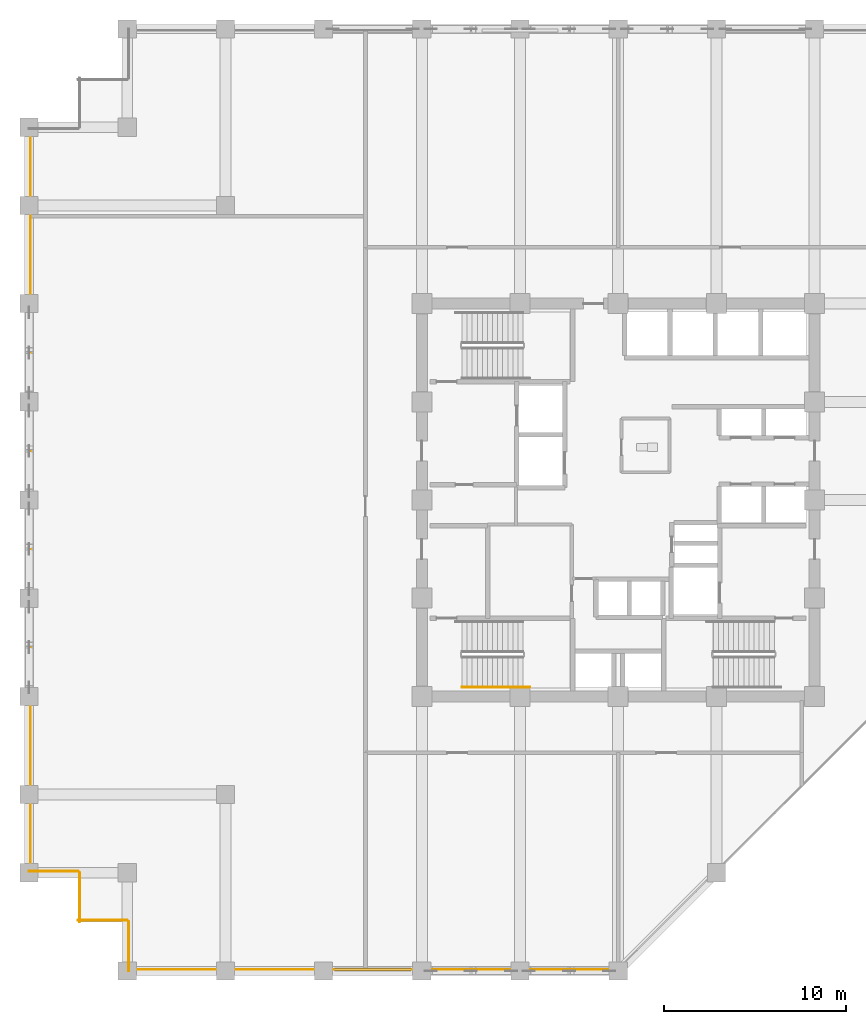
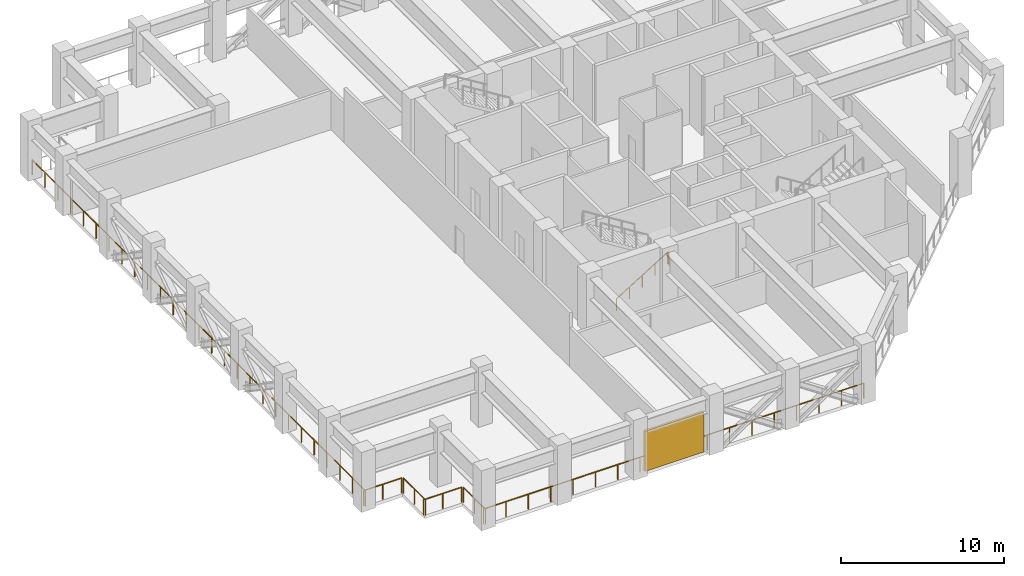
# One storey, part 8 of 12: 7 railings, 1 shading device.
"""IFC4 building model written with IfcOpenShell, lengths in metres."""

from ifc_helpers import new_model, si_unit, direction, frame, origin, origin_2d, place, context, subcontext, project, spatial, rectangle, circle, extrude, material, type_object, element, save


model = new_model("IFC4")

# Units and contexts
model_context = context("Model", 3, precision=1e-05, world=origin(), true_north=direction((0.0, 1.0)))
body_context = subcontext(model_context, "Body", "Model", "MODEL_VIEW")
ifc_project = project(units=[si_unit("LENGTHUNIT", "METRE"), si_unit("AREAUNIT", "SQUARE_METRE"), si_unit("VOLUMEUNIT", "CUBIC_METRE"), si_unit("PLANEANGLEUNIT", "RADIAN"), si_unit("MASSUNIT", "GRAM", prefix="KILO")], contexts=[model_context])

# Site, building, storey
site_placement = place(None, origin())
site = spatial("IfcSite", under=ifc_project, at=site_placement, CompositionType="ELEMENT")
building_placement = place(site_placement, origin())
building = spatial("IfcBuilding", under=site, at=building_placement, Name="Surkhivell Harbour Commons", CompositionType="ELEMENT")
storey_placement = place(building_placement, frame((0.0, 0.0, 166.5)))
storey = spatial("IfcBuildingStorey", under=building, at=storey_placement, Name="L43", CompositionType="ELEMENT", Elevation=166.5)

# Railings
ifc_material_1 = material(Name="Laminated safety glass and stainless steel S355 balustrade", Category="steel")
railing_type_1 = type_object("IfcRailingType", Name="RAL-BAL-1150", PredefinedType="BALUSTRADE", material=ifc_material_1)
railing_1_placement = place(storey_placement, frame((-27.0, -25.820068359375, 0.0)))
element("IfcRailing", 1, at=railing_1_placement, inside=storey, type_object=railing_type_1, Name="L43 Perimeter Safety Guard 01", PredefinedType="BALUSTRADE", context=body_context, shape_type="SweptSolid", body=[
    extrude(circle(Radius=0.02392578125, at=origin_2d()), frame((0.0, 0.0, 1.1259765625), z_axis=(1.0, 0.0, 0.0), x_axis=(0.0, 1.0, 0.0)), (0.0, 0.0, 1.0), 27.0),
    extrude(circle(Radius=0.02099609375, at=origin_2d()), origin(), (0.0, 0.0, 1.0), 1.101806640625),
    extrude(circle(Radius=0.02099609375, at=origin_2d()), frame((1.588134765625, 0.0, 0.0)), (0.0, 0.0, 1.0), 1.101806640625),
    extrude(circle(Radius=0.02099609375, at=origin_2d()), frame((3.176513671875, 0.0, 0.0)), (0.0, 0.0, 1.0), 1.101806640625),
    extrude(circle(Radius=0.02099609375, at=origin_2d()), frame((4.7646484375, 0.0, 0.0)), (0.0, 0.0, 1.0), 1.101806640625),
    extrude(circle(Radius=0.02099609375, at=origin_2d()), frame((6.35302734375, 0.0, 0.0)), (0.0, 0.0, 1.0), 1.101806640625),
    extrude(circle(Radius=0.02099609375, at=origin_2d()), frame((7.941162109375, 0.0, 0.0)), (0.0, 0.0, 1.0), 1.101806640625),
    extrude(circle(Radius=0.02099609375, at=origin_2d()), frame((9.529296875, 0.0, 0.0)), (0.0, 0.0, 1.0), 1.101806640625),
    extrude(circle(Radius=0.02099609375, at=origin_2d()), frame((11.11767578125, 0.0, 0.0)), (0.0, 0.0, 1.0), 1.101806640625),
    extrude(circle(Radius=0.02099609375, at=origin_2d()), frame((12.705810546875, 0.0, 0.0)), (0.0, 0.0, 1.0), 1.101806640625),
    extrude(circle(Radius=0.02099609375, at=origin_2d()), frame((14.294189453125, 0.0, 0.0)), (0.0, 0.0, 1.0), 1.101806640625),
    extrude(circle(Radius=0.02099609375, at=origin_2d()), frame((15.88232421875, 0.0, 0.0)), (0.0, 0.0, 1.0), 1.101806640625),
    extrude(circle(Radius=0.02099609375, at=origin_2d()), frame((17.470703125, 0.0, 0.0)), (0.0, 0.0, 1.0), 1.101806640625),
    extrude(circle(Radius=0.02099609375, at=origin_2d()), frame((19.058837890625, 0.0, 0.0)), (0.0, 0.0, 1.0), 1.101806640625),
    extrude(circle(Radius=0.02099609375, at=origin_2d()), frame((20.64697265625, 0.0, 0.0)), (0.0, 0.0, 1.0), 1.101806640625),
    extrude(circle(Radius=0.02099609375, at=origin_2d()), frame((22.2353515625, 0.0, 0.0)), (0.0, 0.0, 1.0), 1.101806640625),
    extrude(circle(Radius=0.02099609375, at=origin_2d()), frame((23.823486328125, 0.0, 0.0)), (0.0, 0.0, 1.0), 1.101806640625),
    extrude(circle(Radius=0.02099609375, at=origin_2d()), frame((25.411865234375, 0.0, 0.0)), (0.0, 0.0, 1.0), 1.101806640625),
    extrude(circle(Radius=0.02099609375, at=origin_2d()), frame((27.0, 0.0, 0.0)), (0.0, 0.0, 1.0), 1.101806640625),
])
railing_2_placement = place(storey_placement, frame((-32.320068359375, 20.5, 0.0)))
element("IfcRailing", 2, at=railing_2_placement, inside=storey, type_object=railing_type_1, Name="L43 Perimeter Safety Guard 13", PredefinedType="BALUSTRADE", context=body_context, shape_type="SweptSolid", body=[
    extrude(circle(Radius=0.02392578125, at=origin_2d()), frame((0.0, 0.0, 1.1259765625), z_axis=(0.0, -1.0, 0.0), x_axis=(1.0, 0.0, 0.0)), (0.0, 0.0, 1.0), 41.0),
    extrude(circle(Radius=0.02099609375, at=origin_2d()), origin(), (0.0, 0.0, 1.0), 1.101806640625),
    extrude(circle(Radius=0.02099609375, at=origin_2d()), frame((0.0, -1.576904296875, 0.0)), (0.0, 0.0, 1.0), 1.101806640625),
    extrude(circle(Radius=0.02099609375, at=origin_2d()), frame((0.0, -3.15380859375, 0.0)), (0.0, 0.0, 1.0), 1.101806640625),
    extrude(circle(Radius=0.02099609375, at=origin_2d()), frame((0.0, -4.730712890625, 0.0)), (0.0, 0.0, 1.0), 1.101806640625),
    extrude(circle(Radius=0.02099609375, at=origin_2d()), frame((0.0, -6.3076171875, 0.0)), (0.0, 0.0, 1.0), 1.101806640625),
    extrude(circle(Radius=0.02099609375, at=origin_2d()), frame((0.0, -7.884521484375, 0.0)), (0.0, 0.0, 1.0), 1.101806640625),
    extrude(circle(Radius=0.02099609375, at=origin_2d()), frame((0.0, -9.46142578125, 0.0)), (0.0, 0.0, 1.0), 1.101806640625),
    extrude(circle(Radius=0.02099609375, at=origin_2d()), frame((0.0, -11.03857421875, 0.0)), (0.0, 0.0, 1.0), 1.101806640625),
    extrude(circle(Radius=0.02099609375, at=origin_2d()), frame((0.0, -12.615478515625, 0.0)), (0.0, 0.0, 1.0), 1.101806640625),
    extrude(circle(Radius=0.02099609375, at=origin_2d()), frame((0.0, -14.1923828125, 0.0)), (0.0, 0.0, 1.0), 1.101806640625),
    extrude(circle(Radius=0.02099609375, at=origin_2d()), frame((0.0, -15.769287109375, 0.0)), (0.0, 0.0, 1.0), 1.101806640625),
    extrude(circle(Radius=0.02099609375, at=origin_2d()), frame((0.0, -17.34619140625, 0.0)), (0.0, 0.0, 1.0), 1.101806640625),
    extrude(circle(Radius=0.02099609375, at=origin_2d()), frame((0.0, -18.923095703125, 0.0)), (0.0, 0.0, 1.0), 1.101806640625),
    extrude(circle(Radius=0.02099609375, at=origin_2d()), frame((0.0, -20.5, 0.0)), (0.0, 0.0, 1.0), 1.101806640625),
    extrude(circle(Radius=0.02099609375, at=origin_2d()), frame((0.0, -22.076904296875, 0.0)), (0.0, 0.0, 1.0), 1.101806640625),
    extrude(circle(Radius=0.02099609375, at=origin_2d()), frame((0.0, -23.65380859375, 0.0)), (0.0, 0.0, 1.0), 1.101806640625),
    extrude(circle(Radius=0.02099609375, at=origin_2d()), frame((0.0, -25.230712890625, 0.0)), (0.0, 0.0, 1.0), 1.101806640625),
    extrude(circle(Radius=0.02099609375, at=origin_2d()), frame((0.0, -26.8076171875, 0.0)), (0.0, 0.0, 1.0), 1.101806640625),
    extrude(circle(Radius=0.02099609375, at=origin_2d()), frame((0.0, -28.384521484375, 0.0)), (0.0, 0.0, 1.0), 1.101806640625),
    extrude(circle(Radius=0.02099609375, at=origin_2d()), frame((0.0, -29.96142578125, 0.0)), (0.0, 0.0, 1.0), 1.101806640625),
    extrude(circle(Radius=0.02099609375, at=origin_2d()), frame((0.0, -31.53857421875, 0.0)), (0.0, 0.0, 1.0), 1.101806640625),
    extrude(circle(Radius=0.02099609375, at=origin_2d()), frame((0.0, -33.115478515625, 0.0)), (0.0, 0.0, 1.0), 1.101806640625),
    extrude(circle(Radius=0.02099609375, at=origin_2d()), frame((0.0, -34.6923828125, 0.0)), (0.0, 0.0, 1.0), 1.101806640625),
    extrude(circle(Radius=0.02099609375, at=origin_2d()), frame((0.0, -36.269287109375, 0.0)), (0.0, 0.0, 1.0), 1.101806640625),
    extrude(circle(Radius=0.02099609375, at=origin_2d()), frame((0.0, -37.84619140625, 0.0)), (0.0, 0.0, 1.0), 1.101806640625),
    extrude(circle(Radius=0.02099609375, at=origin_2d()), frame((0.0, -39.423095703125, 0.0)), (0.0, 0.0, 1.0), 1.101806640625),
    extrude(circle(Radius=0.02099609375, at=origin_2d()), frame((0.0, -41.0, 0.0)), (0.0, 0.0, 1.0), 1.101806640625),
])
railing_3_placement = place(storey_placement, frame((-32.39990234375, -20.419921875, 0.0)))
element("IfcRailing", 3, at=railing_3_placement, inside=storey, type_object=railing_type_1, Name="L43 Perimeter Safety Guard 14", PredefinedType="BALUSTRADE", context=body_context, shape_type="SweptSolid", body=[
    extrude(circle(Radius=0.02392578125, at=origin_2d()), frame((0.0, 0.0, 1.1259765625), z_axis=(1.0, 0.0, 0.0), x_axis=(0.0, 1.0, 0.0)), (0.0, 0.0, 1.0), 2.699951171875),
    extrude(circle(Radius=0.02099609375, at=origin_2d()), origin(), (0.0, 0.0, 1.0), 1.101806640625),
    extrude(circle(Radius=0.02099609375, at=origin_2d()), frame((1.35009765625, 0.0, 0.0)), (0.0, 0.0, 1.0), 1.101806640625),
    extrude(circle(Radius=0.02099609375, at=origin_2d()), frame((2.699951171875, 0.0, 0.0)), (0.0, 0.0, 1.0), 1.101806640625),
])
railing_4_placement = place(storey_placement, frame((-29.6201171875, -20.5, 0.0)))
element("IfcRailing", 4, at=railing_4_placement, inside=storey, type_object=railing_type_1, Name="L43 Perimeter Safety Guard 15", PredefinedType="BALUSTRADE", context=body_context, shape_type="SweptSolid", body=[
    extrude(circle(Radius=0.02392578125, at=origin_2d()), frame((0.0, 0.0, 1.1259765625), z_axis=(0.0, -1.0, 0.0), x_axis=(1.0, 0.0, 0.0)), (0.0, 0.0, 1.0), 2.699951171875),
    extrude(circle(Radius=0.02099609375, at=origin_2d()), origin(), (0.0, 0.0, 1.0), 1.101806640625),
    extrude(circle(Radius=0.02099609375, at=origin_2d()), frame((0.0, -1.35009765625, 0.0)), (0.0, 0.0, 1.0), 1.101806640625),
    extrude(circle(Radius=0.02099609375, at=origin_2d()), frame((0.0, -2.699951171875, 0.0)), (0.0, 0.0, 1.0), 1.101806640625),
])
railing_5_placement = place(storey_placement, frame((-29.699951171875, -23.1201171875, 0.0)))
element("IfcRailing", 5, at=railing_5_placement, inside=storey, type_object=railing_type_1, Name="L43 Perimeter Safety Guard 16", PredefinedType="BALUSTRADE", context=body_context, shape_type="SweptSolid", body=[
    extrude(circle(Radius=0.02392578125, at=origin_2d()), frame((0.0, 0.0, 1.1259765625), z_axis=(1.0, 0.0, 0.0), x_axis=(0.0, 1.0, 0.0)), (0.0, 0.0, 1.0), 2.699951171875),
    extrude(circle(Radius=0.02099609375, at=origin_2d()), origin(), (0.0, 0.0, 1.0), 1.101806640625),
    extrude(circle(Radius=0.02099609375, at=origin_2d()), frame((1.35009765625, 0.0, 0.0)), (0.0, 0.0, 1.0), 1.101806640625),
    extrude(circle(Radius=0.02099609375, at=origin_2d()), frame((2.699951171875, 0.0, 0.0)), (0.0, 0.0, 1.0), 1.101806640625),
])
railing_6_placement = place(storey_placement, frame((-26.919921875, -23.199951171875, 0.0)))
element("IfcRailing", 6, at=railing_6_placement, inside=storey, type_object=railing_type_1, Name="L43 Perimeter Safety Guard 17", PredefinedType="BALUSTRADE", context=body_context, shape_type="SweptSolid", body=[
    extrude(circle(Radius=0.02392578125, at=origin_2d()), frame((0.0, 0.0, 1.1259765625), z_axis=(0.0, -1.0, 0.0), x_axis=(1.0, 0.0, 0.0)), (0.0, 0.0, 1.0), 2.699951171875),
    extrude(circle(Radius=0.02099609375, at=origin_2d()), origin(), (0.0, 0.0, 1.0), 1.101806640625),
    extrude(circle(Radius=0.02099609375, at=origin_2d()), frame((0.0, -1.35009765625, 0.0)), (0.0, 0.0, 1.0), 1.101806640625),
    extrude(circle(Radius=0.02099609375, at=origin_2d()), frame((0.0, -2.699951171875, 0.0)), (0.0, 0.0, 1.0), 1.101806640625),
])
ifc_material_2 = material(Name="Brushed stainless steel S355 handrail", Category="steel")
railing_type_2 = type_object("IfcRailingType", Name="RAL-ST-HND900", PredefinedType="HANDRAIL", material=ifc_material_2)
railing_7_placement = place(storey_placement, frame((-8.590087890625, -10.2900390625, 0.173095703125)))
element("IfcRailing", 7, at=railing_7_placement, inside=storey, type_object=railing_type_2, Name="L43 ST3 stair handrail 1", PredefinedType="HANDRAIL", context=body_context, shape_type="SweptSolid", body=[
    extrude(circle(Radius=0.02392578125, at=origin_2d()), frame((0.0, 0.0, 0.8759765625), z_axis=(0.850622404505, 0.0, 0.525777067734), x_axis=(0.0, 1.0, 0.0)), (0.0, 0.0, 1.0), 4.279296875),
    extrude(circle(Radius=0.02392578125, at=origin_2d()), frame((3.64013671875, 0.0, 3.1259765625), z_axis=(0.418814502111, 0.0, -0.908071810388), x_axis=(0.0, 1.0, 0.0)), (0.0, 0.0, 1.0), 0.190673828125),
    extrude(circle(Radius=0.02099609375, at=origin_2d()), origin(), (0.0, 0.0, 1.0), 0.851806640625),
    extrude(circle(Radius=0.02099609375, at=origin_2d()), frame((0.91015625, 0.0, 0.5625)), (0.0, 0.0, 1.0), 0.851806640625),
    extrude(circle(Radius=0.02099609375, at=origin_2d()), frame((1.820068359375, 0.0, 1.125)), (0.0, 0.0, 1.0), 0.851806640625),
    extrude(circle(Radius=0.02099609375, at=origin_2d()), frame((2.72998046875, 0.0, 1.6875)), (0.0, 0.0, 1.0), 0.851806640625),
    extrude(circle(Radius=0.02099609375, at=origin_2d()), frame((3.64013671875, 0.0, 2.25)), (0.0, 0.0, 1.0), 0.851806640625),
    extrude(circle(Radius=0.02099609375, at=origin_2d()), frame((3.719970703125, 0.0, 2.076904296875)), (0.0, 0.0, 1.0), 0.851806640625),
])

# Shading device
ifc_material_3 = material(Name="Pale-metal acoustic weather louvre assembly", Category="aluminium")
shading_device_type = type_object("IfcShadingDeviceType", Name="SHD-LOUV-JAL", PredefinedType="JALOUSIE", material=ifc_material_3)
shading_device_placement = place(storey_placement, frame((-13.5, -25.820068359375, 0.0), z_axis=(0.0, 0.0, 1.0), x_axis=(1.0, 0.0, 0.0)))
element("IfcShadingDevice", 8, at=shading_device_placement, inside=storey, type_object=shading_device_type, Name="L43 Plant Acoustic Louvre Screen LV-01", PredefinedType="JALOUSIE", context=body_context, shape_type="SweptSolid", body=[
    extrude(rectangle(XDim=4.199951171875, YDim=0.179931640625, at=origin_2d()), origin(), (0.0, 0.0, 1.0), 3.0),
])

save(model, "model.ifc")
